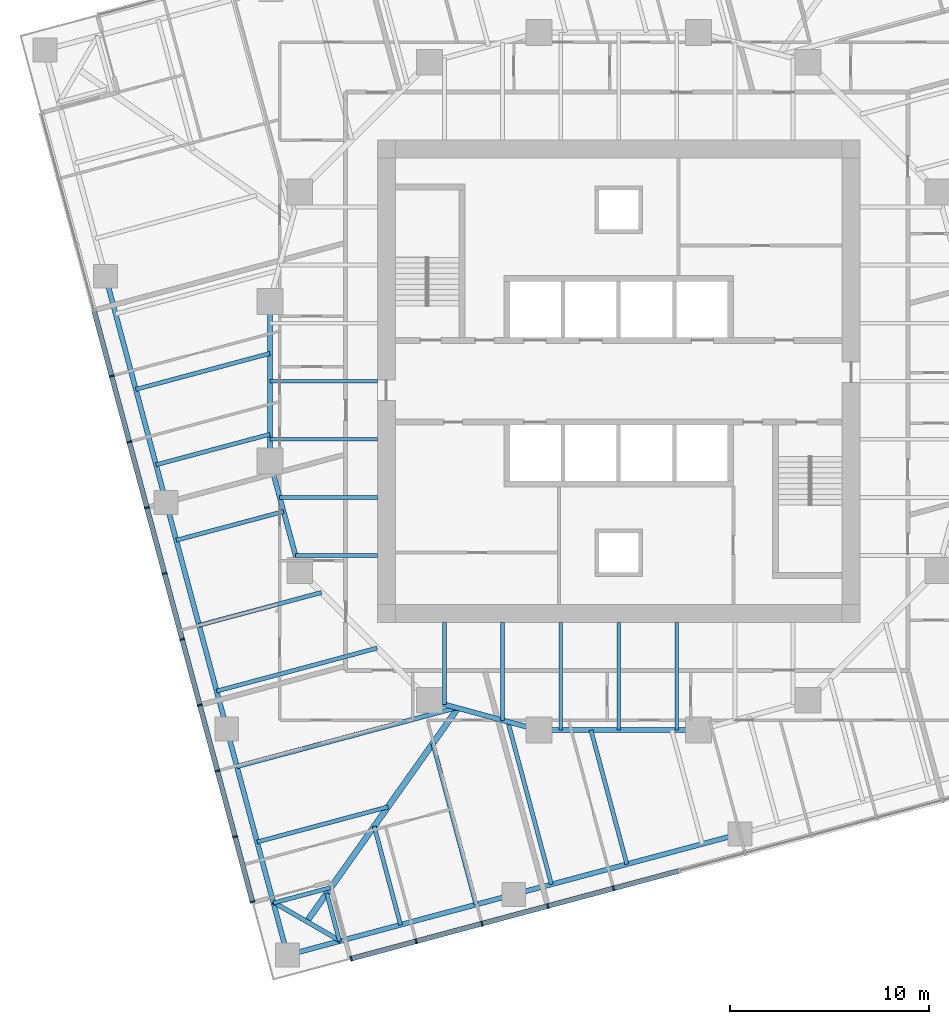
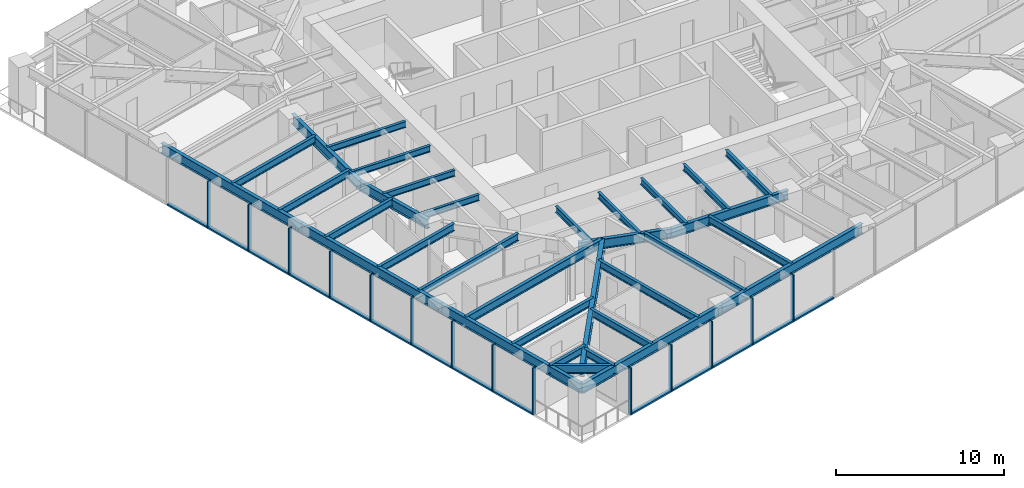
# One storey, part 2 of 13: 33 beams, 28 members, 2 elements without a shape of their own.
"""IFC4 building model written with IfcOpenShell, lengths in metres."""

from ifc_helpers import new_model, si_unit, direction, frame, origin, origin_2d, place, context, subcontext, project, spatial, rectangle, i_section, extrude, material, material_profile, profile_set, type_object, element, aggregate, save


model = new_model("IFC4")

# Units and contexts
model_context = context("Model", 3, precision=1e-05, world=origin(), true_north=direction((0.0, 1.0)))
body_context = subcontext(model_context, "Body", "Model", "MODEL_VIEW")
ifc_project = project(units=[si_unit("LENGTHUNIT", "METRE"), si_unit("AREAUNIT", "SQUARE_METRE"), si_unit("VOLUMEUNIT", "CUBIC_METRE"), si_unit("PLANEANGLEUNIT", "RADIAN"), si_unit("MASSUNIT", "GRAM", prefix="KILO")], contexts=[model_context])

# Site, building, storey
site_placement = place(None, origin())
site = spatial("IfcSite", under=ifc_project, at=site_placement, CompositionType="ELEMENT")
building_placement = place(site_placement, origin())
building = spatial("IfcBuilding", under=site, at=building_placement, Name="Torsade Residences", CompositionType="ELEMENT")
storey_placement = place(building_placement, frame((0.0, 0.0, 115.0)))
storey = spatial("IfcBuildingStorey", under=building, at=storey_placement, Name="L31", CompositionType="ELEMENT", Elevation=115.0)

# Beams
ifc_material_1 = material(Name="Steel grade 300", Category="steel")
ifc_material_profile_1 = material_profile(ifc_material_1, i_section(OverallWidth=0.300048828125, OverallDepth=0.89990234375, WebThickness=0.011962890625, FlangeThickness=0.02490234375, at=origin_2d()), Name="900WB175")
ifc_profile_set_1 = profile_set([ifc_material_profile_1], Name="Steel grade 300")
beam_type_1 = type_object("IfcBeamType", Name="CORNER GIRDER 900WB175", PredefinedType="BEAM", material=ifc_profile_set_1)
beam_1_placement = place(storey_placement, frame((24.355224609375, 2.902587890625, 2.800048828125), z_axis=(0.577683167004, 0.816261084801, 0.0), x_axis=(-0.816261084801, 0.577683167004, 0.0)))
element("IfcBeam", 1, at=beam_1_placement, inside=storey, type_object=beam_type_1, Name="Corner girder 01 L32", PredefinedType="BEAM", context=body_context, shape_type="SweptSolid", body=[
    extrude(i_section(OverallWidth=0.300048828125, OverallDepth=0.89990234375, WebThickness=0.011962890625, FlangeThickness=0.02490234375, at=origin_2d()), origin(), (0.0, 0.0, 1.0), 13.116943359375),
])
ifc_material_2 = material(Name="Steel grade 300", Category="steel")
ifc_material_profile_2 = material_profile(ifc_material_2, i_section(OverallWidth=0.22802734375, OverallDepth=0.60205078125, WebThickness=0.010498046875, FlangeThickness=0.014892578125, FilletRadius=0.013916015625, at=origin_2d()), Name="610UB101")
ifc_profile_set_2 = profile_set([ifc_material_profile_2], Name="Steel grade 300")
beam_type_2 = type_object("IfcBeamType", Name="CORNER TRIMMER 610UB101", PredefinedType="BEAM", material=ifc_profile_set_2)
beam_2_placement = place(storey_placement, frame((26.039306640625, 1.93017578125, 2.948974609375), z_axis=(-0.866028782848, 0.499994147244, 0.0), x_axis=(-0.499994147244, -0.866028782848, 0.0)))
element("IfcBeam", 2, at=beam_2_placement, inside=storey, type_object=beam_type_2, Name="Corner trimmer 01 L32", PredefinedType="BEAM", context=body_context, shape_type="SweptSolid", body=[
    extrude(i_section(OverallWidth=0.22802734375, OverallDepth=0.60205078125, WebThickness=0.010498046875, FlangeThickness=0.014892578125, FilletRadius=0.013916015625, at=origin_2d()), origin(), (0.0, 0.0, 1.0), 3.88916015625),
])
ifc_material_3 = material(Name="Steel grade 300", Category="steel")
ifc_material_profile_3 = material_profile(ifc_material_3, i_section(OverallWidth=0.25, OverallDepth=0.699951171875, WebThickness=0.010009765625, FlangeThickness=0.02001953125, at=origin_2d()), Name="700WB130")
ifc_profile_set_3 = profile_set([ifc_material_profile_3], Name="Steel grade 300")
beam_type_3 = type_object("IfcBeamType", Name="EDGE BEAM 700WB130", PredefinedType="SPANDREL", material=ifc_profile_set_3)
for number, where, z_axis, x_axis, name in (
    (3, (23.383056640625, 1.218505859375, 2.89990234375), (0.965928018634, 0.258810863021, 0.0), (-0.258810863021, 0.965928018634, 0.0), "Edge beam 01 L32"),
    (4, (34.732666015625, 4.259521484375, 2.89990234375), (0.965922824118, 0.258830249097, 0.0), (-0.258830249097, 0.965922824118, 0.0), "Edge beam 02 L32"),
    (5, (14.259521484375, 35.267333984375, 2.89990234375), (0.258830249097, -0.965922824118, 0.0), (0.965922824118, 0.258830249097, 0.0), "Edge beam 14 L32"),
    (6, (17.30078125, 23.917724609375, 2.89990234375), (0.258810863021, -0.965928018634, 0.0), (0.965928018634, 0.258810863021, 0.0), "Edge beam 15 L32"),
    (7, (20.341796875, 12.568115234375, 2.89990234375), (0.258830249097, -0.965922824118, 0.0), (0.965922824118, 0.258830249097, 0.0), "Edge beam 16 L32"),
):
    element("IfcBeam", number, at=place(storey_placement, frame(where, z_axis=z_axis, x_axis=x_axis)), inside=storey, type_object=beam_type_3, Name=name, PredefinedType="SPANDREL", context=body_context, shape_type="SweptSolid", body=[
        extrude(i_section(OverallWidth=0.25, OverallDepth=0.699951171875, WebThickness=0.010009765625, FlangeThickness=0.02001953125, at=origin_2d()), origin(), (0.0, 0.0, 1.0), 11.75),
    ])
ifc_material_4 = material(Name="Steel grade 300", Category="steel")
ifc_material_profile_4 = material_profile(ifc_material_4, i_section(OverallWidth=0.18994140625, OverallDepth=0.4541015625, WebThickness=0.008544921875, FlangeThickness=0.0126953125, FilletRadius=0.011474609375, at=origin_2d()), Name="460UB67.1")
ifc_profile_set_4 = profile_set([ifc_material_profile_4], Name="Steel grade 300")
beam_type_4 = type_object("IfcBeamType", Name="INNER FLOOR BEAM 460UB67.1", PredefinedType="JOIST", material=ifc_profile_set_4)
for number, where, z_axis, x_axis, name in (
    (8, (42.91259765625, 17.89990234375, 3.02294921875), (0.0, -1.0, 0.0), (1.0, 0.0, 0.0), "Inner floor beam IS03 L32"),
    (9, (40.0, 17.89990234375, 3.02294921875), (0.0, -1.0, 0.0), (1.0, 0.0, 0.0), "Inner floor beam IS04 L32"),
    (10, (37.08740234375, 17.89990234375, 3.02294921875), (0.0, -1.0, 0.0), (1.0, 0.0, 0.0), "Inner floor beam IS05 L32"),
):
    element("IfcBeam", number, at=place(storey_placement, frame(where, z_axis=z_axis, x_axis=x_axis)), inside=storey, type_object=beam_type_4, Name=name, PredefinedType="JOIST", context=body_context, shape_type="SweptSolid", body=[
        extrude(i_section(OverallWidth=0.18994140625, OverallDepth=0.4541015625, WebThickness=0.008544921875, FlangeThickness=0.0126953125, FilletRadius=0.011474609375, at=origin_2d()), origin(), (0.0, 0.0, 1.0), 5.39990234375),
    ])
beam_3_placement = place(storey_placement, frame((34.175048828125, 17.89990234375, 3.02294921875), z_axis=(0.0, -1.0, 0.0), x_axis=(1.0, 0.0, 0.0)))
element("IfcBeam", 11, at=beam_3_placement, inside=storey, type_object=beam_type_4, Name="Inner floor beam IS06 L32", PredefinedType="JOIST", context=body_context, shape_type="SweptSolid", body=[
    extrude(i_section(OverallWidth=0.18994140625, OverallDepth=0.4541015625, WebThickness=0.008544921875, FlangeThickness=0.0126953125, FilletRadius=0.011474609375, at=origin_2d()), origin(), (0.0, 0.0, 1.0), 4.902099609375),
])
beam_4_placement = place(storey_placement, frame((31.262451171875, 17.89990234375, 3.02294921875), z_axis=(0.0, -1.0, 0.0), x_axis=(1.0, 0.0, 0.0)))
element("IfcBeam", 12, at=beam_4_placement, inside=storey, type_object=beam_type_4, Name="Inner floor beam IS07 L32", PredefinedType="JOIST", context=body_context, shape_type="SweptSolid", body=[
    extrude(i_section(OverallWidth=0.18994140625, OverallDepth=0.4541015625, WebThickness=0.008544921875, FlangeThickness=0.0126953125, FilletRadius=0.011474609375, at=origin_2d()), origin(), (0.0, 0.0, 1.0), 4.10791015625),
])
for number, where, z_axis, x_axis, name in (
    (13, (27.89990234375, 30.0, 3.02294921875), (-1.0, 0.0, 0.0), (0.0, -1.0, 0.0), "Inner floor beam IW04 L32"),
    (14, (27.89990234375, 27.08740234375, 3.02294921875), (-1.0, 0.0, 0.0), (0.0, -1.0, 0.0), "Inner floor beam IW05 L32"),
):
    element("IfcBeam", number, at=place(storey_placement, frame(where, z_axis=z_axis, x_axis=x_axis)), inside=storey, type_object=beam_type_4, Name=name, PredefinedType="JOIST", context=body_context, shape_type="SweptSolid", body=[
        extrude(i_section(OverallWidth=0.18994140625, OverallDepth=0.4541015625, WebThickness=0.008544921875, FlangeThickness=0.0126953125, FilletRadius=0.011474609375, at=origin_2d()), origin(), (0.0, 0.0, 1.0), 5.39990234375),
    ])
beam_5_placement = place(storey_placement, frame((27.89990234375, 24.175048828125, 3.02294921875), z_axis=(-1.0, 0.0, 0.0), x_axis=(0.0, -1.0, 0.0)))
element("IfcBeam", 15, at=beam_5_placement, inside=storey, type_object=beam_type_4, Name="Inner floor beam IW06 L32", PredefinedType="JOIST", context=body_context, shape_type="SweptSolid", body=[
    extrude(i_section(OverallWidth=0.18994140625, OverallDepth=0.4541015625, WebThickness=0.008544921875, FlangeThickness=0.0126953125, FilletRadius=0.011474609375, at=origin_2d()), origin(), (0.0, 0.0, 1.0), 4.902099609375),
])
beam_6_placement = place(storey_placement, frame((27.89990234375, 21.262451171875, 3.02294921875), z_axis=(-1.0, 0.0, 0.0), x_axis=(0.0, -1.0, 0.0)))
element("IfcBeam", 16, at=beam_6_placement, inside=storey, type_object=beam_type_4, Name="Inner floor beam IW07 L32", PredefinedType="JOIST", context=body_context, shape_type="SweptSolid", body=[
    extrude(i_section(OverallWidth=0.18994140625, OverallDepth=0.4541015625, WebThickness=0.008544921875, FlangeThickness=0.0126953125, FilletRadius=0.011474609375, at=origin_2d()), origin(), (0.0, 0.0, 1.0), 4.10791015625),
])

# Curtain wall, members
ifc_material_5 = material(Name="Aluminium and glass", Category="aluminium")
curtain_wall_type = type_object("IfcCurtainWallType", Name="FRITTED GLASS CURTAIN WALL MID ZONE", PredefinedType="NOTDEFINED", material=ifc_material_5)
curtain_wall_1_placement = place(storey_placement, origin())
curtain_wall_1 = element("IfcCurtainWall", 17, at=curtain_wall_1_placement, inside=storey, type_object=curtain_wall_type, Name="Curtain wall L31 face 1", PredefinedType="NOTDEFINED")
ifc_material_6 = material(Name="Aluminium mullion", Category="aluminium")
ifc_material_profile_5 = material_profile(ifc_material_6, rectangle(XDim=0.25, YDim=0.080078125, at=origin_2d()), Name="MID ZONE CURTAIN WALL MULLION 250x80")
ifc_profile_set_5 = profile_set([ifc_material_profile_5], Name="Aluminium mullion")
member_type_1 = type_object("IfcMemberType", Name="MID ZONE CURTAIN WALL MULLION 250x80", PredefinedType="MULLION", material=ifc_profile_set_5)
member_1_placement = place(storey_placement, frame((26.578125, 1.039306640625, 0.0), z_axis=(0.0, 0.0, 1.0), x_axis=(-0.258819047783, 0.965925825571, 0.0)))
member_1 = element("IfcMember", 18, at=member_1_placement, type_object=member_type_1, Name="Mullion 1", PredefinedType="MULLION", context=body_context, shape_type="SweptSolid", body=[
    extrude(rectangle(XDim=0.25, YDim=0.080078125, at=origin_2d()), origin(), (0.0, 0.0, 1.0), 3.39990234375),
])
member_2_placement = place(storey_placement, frame((29.83984375, 1.913330078125, 0.0), z_axis=(0.0, 0.0, 1.0), x_axis=(-0.258819047783, 0.965925825571, 0.0)))
member_2 = element("IfcMember", 19, at=member_2_placement, type_object=member_type_1, Name="Mullion 2", PredefinedType="MULLION", context=body_context, shape_type="SweptSolid", body=[
    extrude(rectangle(XDim=0.25, YDim=0.080078125, at=origin_2d()), origin(), (0.0, 0.0, 1.0), 3.39990234375),
])
member_3_placement = place(storey_placement, frame((33.14013671875, 2.797607421875, 0.0), z_axis=(0.0, 0.0, 1.0), x_axis=(-0.258819047783, 0.965925825571, 0.0)))
member_3 = element("IfcMember", 20, at=member_3_placement, type_object=member_type_1, Name="Mullion 3", PredefinedType="MULLION", context=body_context, shape_type="SweptSolid", body=[
    extrude(rectangle(XDim=0.25, YDim=0.080078125, at=origin_2d()), origin(), (0.0, 0.0, 1.0), 3.39990234375),
])
member_4_placement = place(storey_placement, frame((36.4404296875, 3.681884765625, 0.0), z_axis=(0.0, 0.0, 1.0), x_axis=(-0.258819047783, 0.965925825571, 0.0)))
member_4 = element("IfcMember", 21, at=member_4_placement, type_object=member_type_1, Name="Mullion 4", PredefinedType="MULLION", context=body_context, shape_type="SweptSolid", body=[
    extrude(rectangle(XDim=0.25, YDim=0.080078125, at=origin_2d()), origin(), (0.0, 0.0, 1.0), 3.39990234375),
])
member_5_placement = place(storey_placement, frame((39.740478515625, 4.566162109375, 0.0), z_axis=(0.0, 0.0, 1.0), x_axis=(-0.258819047783, 0.965925825571, 0.0)))
member_5 = element("IfcMember", 22, at=member_5_placement, type_object=member_type_1, Name="Mullion 5", PredefinedType="MULLION", context=body_context, shape_type="SweptSolid", body=[
    extrude(rectangle(XDim=0.25, YDim=0.080078125, at=origin_2d()), origin(), (0.0, 0.0, 1.0), 3.39990234375),
])

curtain_wall_2_placement = place(storey_placement, origin())
curtain_wall_2 = element("IfcCurtainWall", 23, at=curtain_wall_2_placement, inside=storey, type_object=curtain_wall_type, Name="Curtain wall L31 face 10", PredefinedType="NOTDEFINED")
member_6_placement = place(storey_placement, frame((14.566162109375, 30.259521484375, 0.0), z_axis=(0.0, 0.0, 1.0), x_axis=(0.965925825571, 0.258819047783, 0.0)))
member_6 = element("IfcMember", 24, at=member_6_placement, type_object=member_type_1, Name="Mullion 5", PredefinedType="MULLION", context=body_context, shape_type="SweptSolid", body=[
    extrude(rectangle(XDim=0.25, YDim=0.080078125, at=origin_2d()), origin(), (0.0, 0.0, 1.0), 3.39990234375),
])
member_7_placement = place(storey_placement, frame((15.450439453125, 26.959228515625, 0.0), z_axis=(0.0, 0.0, 1.0), x_axis=(0.965925825571, 0.258819047783, 0.0)))
member_7 = element("IfcMember", 25, at=member_7_placement, type_object=member_type_1, Name="Mullion 6", PredefinedType="MULLION", context=body_context, shape_type="SweptSolid", body=[
    extrude(rectangle(XDim=0.25, YDim=0.080078125, at=origin_2d()), origin(), (0.0, 0.0, 1.0), 3.39990234375),
])
member_8_placement = place(storey_placement, frame((16.334716796875, 23.658935546875, 0.0), z_axis=(0.0, 0.0, 1.0), x_axis=(0.965925825571, 0.258819047783, 0.0)))
member_8 = element("IfcMember", 26, at=member_8_placement, type_object=member_type_1, Name="Mullion 7", PredefinedType="MULLION", context=body_context, shape_type="SweptSolid", body=[
    extrude(rectangle(XDim=0.25, YDim=0.080078125, at=origin_2d()), origin(), (0.0, 0.0, 1.0), 3.39990234375),
])
member_9_placement = place(storey_placement, frame((17.218994140625, 20.358642578125, 0.0), z_axis=(0.0, 0.0, 1.0), x_axis=(0.965925825571, 0.258819047783, 0.0)))
member_9 = element("IfcMember", 27, at=member_9_placement, type_object=member_type_1, Name="Mullion 8", PredefinedType="MULLION", context=body_context, shape_type="SweptSolid", body=[
    extrude(rectangle(XDim=0.25, YDim=0.080078125, at=origin_2d()), origin(), (0.0, 0.0, 1.0), 3.39990234375),
])
member_10_placement = place(storey_placement, frame((18.103515625, 17.058349609375, 0.0), z_axis=(0.0, 0.0, 1.0), x_axis=(0.965925825571, 0.258819047783, 0.0)))
member_10 = element("IfcMember", 28, at=member_10_placement, type_object=member_type_1, Name="Mullion 9", PredefinedType="MULLION", context=body_context, shape_type="SweptSolid", body=[
    extrude(rectangle(XDim=0.25, YDim=0.080078125, at=origin_2d()), origin(), (0.0, 0.0, 1.0), 3.39990234375),
])
member_11_placement = place(storey_placement, frame((18.98779296875, 13.75830078125, 0.0), z_axis=(0.0, 0.0, 1.0), x_axis=(0.965925825571, 0.258819047783, 0.0)))
member_11 = element("IfcMember", 29, at=member_11_placement, type_object=member_type_1, Name="Mullion 10", PredefinedType="MULLION", context=body_context, shape_type="SweptSolid", body=[
    extrude(rectangle(XDim=0.25, YDim=0.080078125, at=origin_2d()), origin(), (0.0, 0.0, 1.0), 3.39990234375),
])
member_12_placement = place(storey_placement, frame((19.8720703125, 10.4580078125, 0.0), z_axis=(0.0, 0.0, 1.0), x_axis=(0.965925825571, 0.258819047783, 0.0)))
member_12 = element("IfcMember", 30, at=member_12_placement, type_object=member_type_1, Name="Mullion 11", PredefinedType="MULLION", context=body_context, shape_type="SweptSolid", body=[
    extrude(rectangle(XDim=0.25, YDim=0.080078125, at=origin_2d()), origin(), (0.0, 0.0, 1.0), 3.39990234375),
])
member_13_placement = place(storey_placement, frame((20.75634765625, 7.15771484375, 0.0), z_axis=(0.0, 0.0, 1.0), x_axis=(0.965925825571, 0.258819047783, 0.0)))
member_13 = element("IfcMember", 31, at=member_13_placement, type_object=member_type_1, Name="Mullion 12", PredefinedType="MULLION", context=body_context, shape_type="SweptSolid", body=[
    extrude(rectangle(XDim=0.25, YDim=0.080078125, at=origin_2d()), origin(), (0.0, 0.0, 1.0), 3.39990234375),
])
member_14_placement = place(storey_placement, frame((21.63037109375, 3.89599609375, 0.0), z_axis=(0.0, 0.0, 1.0), x_axis=(0.965925825571, 0.258819047783, 0.0)))
member_14 = element("IfcMember", 32, at=member_14_placement, type_object=member_type_1, Name="Mullion 13", PredefinedType="MULLION", context=body_context, shape_type="SweptSolid", body=[
    extrude(rectangle(XDim=0.25, YDim=0.080078125, at=origin_2d()), origin(), (0.0, 0.0, 1.0), 3.39990234375),
])

# Member
ifc_material_7 = material(Name="Aluminium transom", Category="aluminium")
ifc_material_profile_6 = material_profile(ifc_material_7, rectangle(XDim=0.25, YDim=0.110107421875, at=origin_2d()), Name="MID ZONE CURTAIN WALL TRANSOM 250x110")
ifc_profile_set_6 = profile_set([ifc_material_profile_6], Name="Aluminium transom")
member_type_2 = type_object("IfcMemberType", Name="MID ZONE CURTAIN WALL TRANSOM 250x110", PredefinedType="USERDEFINED", material=ifc_profile_set_6)
member_15_placement = place(storey_placement, frame((26.616943359375, 1.0498046875, 0.054931640625), z_axis=(0.965923258633, 0.258828627534, 0.0), x_axis=(-0.258828627534, 0.965923258633, 0.0)))
member_15 = element("IfcMember", 33, at=member_15_placement, type_object=member_type_2, Name="Transom 1.1", ObjectType="TRANSOM", PredefinedType="USERDEFINED", context=body_context, shape_type="SweptSolid", body=[
    extrude(rectangle(XDim=0.25, YDim=0.110107421875, at=origin_2d()), origin(), (0.0, 0.0, 1.0), 3.296630859375),
])

member_16_placement = place(storey_placement, frame((29.87841796875, 1.923583984375, 0.054931640625), z_axis=(0.965916044226, 0.258855549498, 0.0), x_axis=(-0.258855549498, 0.965916044226, 0.0)))
member_16 = element("IfcMember", 34, at=member_16_placement, type_object=member_type_2, Name="Transom 2.1", ObjectType="TRANSOM", PredefinedType="USERDEFINED", context=body_context, shape_type="SweptSolid", body=[
    extrude(rectangle(XDim=0.25, YDim=0.110107421875, at=origin_2d()), origin(), (0.0, 0.0, 1.0), 3.3369140625),
])

member_17_placement = place(storey_placement, frame((33.1787109375, 2.807861328125, 0.054931640625), z_axis=(0.96591114124, 0.258873844232, 0.0), x_axis=(-0.258873844232, 0.96591114124, 0.0)))
member_17 = element("IfcMember", 35, at=member_17_placement, type_object=member_type_2, Name="Transom 3.1", ObjectType="TRANSOM", PredefinedType="USERDEFINED", context=body_context, shape_type="SweptSolid", body=[
    extrude(rectangle(XDim=0.25, YDim=0.110107421875, at=origin_2d()), origin(), (0.0, 0.0, 1.0), 3.336669921875),
])

member_18_placement = place(storey_placement, frame((36.47900390625, 3.6923828125, 0.054931640625), z_axis=(0.965929435155, 0.258805576255, 0.0), x_axis=(-0.258805576255, 0.965929435155, 0.0)))
member_18 = element("IfcMember", 36, at=member_18_placement, type_object=member_type_2, Name="Transom 4.1", ObjectType="TRANSOM", PredefinedType="USERDEFINED", context=body_context, shape_type="SweptSolid", body=[
    extrude(rectangle(XDim=0.25, YDim=0.110107421875, at=origin_2d()), origin(), (0.0, 0.0, 1.0), 3.336669921875),
])

member_19_placement = place(storey_placement, frame((39.779296875, 4.57666015625, 0.054931640625), z_axis=(0.965929435155, 0.258805576255, 0.0), x_axis=(-0.258805576255, 0.965929435155, 0.0)))
member_19 = element("IfcMember", 37, at=member_19_placement, type_object=member_type_2, Name="Transom 5.1", ObjectType="TRANSOM", PredefinedType="USERDEFINED", context=body_context, shape_type="SweptSolid", body=[
    extrude(rectangle(XDim=0.25, YDim=0.110107421875, at=origin_2d()), origin(), (0.0, 0.0, 1.0), 3.336669921875),
])

aggregate(curtain_wall_1, [member_1, member_2, member_3, member_4, member_5, member_15, member_16, member_17, member_18, member_19])

member_20_placement = place(storey_placement, frame((13.6923828125, 33.52099609375, 0.054931640625), z_axis=(0.258805576255, -0.965929435155, 0.0), x_axis=(0.965929435155, 0.258805576255, 0.0)))
member_20 = element("IfcMember", 38, at=member_20_placement, type_object=member_type_2, Name="Transom 4.1", ObjectType="TRANSOM", PredefinedType="USERDEFINED", context=body_context, shape_type="SweptSolid", body=[
    extrude(rectangle(XDim=0.25, YDim=0.110107421875, at=origin_2d()), origin(), (0.0, 0.0, 1.0), 3.336669921875),
])

member_21_placement = place(storey_placement, frame((14.57666015625, 30.220703125, 0.054931640625), z_axis=(0.258805576255, -0.965929435155, 0.0), x_axis=(0.965929435155, 0.258805576255, 0.0)))
member_21 = element("IfcMember", 39, at=member_21_placement, type_object=member_type_2, Name="Transom 5.1", ObjectType="TRANSOM", PredefinedType="USERDEFINED", context=body_context, shape_type="SweptSolid", body=[
    extrude(rectangle(XDim=0.25, YDim=0.110107421875, at=origin_2d()), origin(), (0.0, 0.0, 1.0), 3.336669921875),
])

member_22_placement = place(storey_placement, frame((15.4609375, 26.920654296875, 0.054931640625), z_axis=(0.258787285653, -0.965934335648, 0.0), x_axis=(0.965934335648, 0.258787285653, 0.0)))
member_22 = element("IfcMember", 40, at=member_22_placement, type_object=member_type_2, Name="Transom 6.1", ObjectType="TRANSOM", PredefinedType="USERDEFINED", context=body_context, shape_type="SweptSolid", body=[
    extrude(rectangle(XDim=0.25, YDim=0.110107421875, at=origin_2d()), origin(), (0.0, 0.0, 1.0), 3.3369140625),
])

member_23_placement = place(storey_placement, frame((16.34521484375, 23.620361328125, 0.054931640625), z_axis=(0.258787285653, -0.965934335648, 0.0), x_axis=(0.965934335648, 0.258787285653, 0.0)))
member_23 = element("IfcMember", 41, at=member_23_placement, type_object=member_type_2, Name="Transom 7.1", ObjectType="TRANSOM", PredefinedType="USERDEFINED", context=body_context, shape_type="SweptSolid", body=[
    extrude(rectangle(XDim=0.25, YDim=0.110107421875, at=origin_2d()), origin(), (0.0, 0.0, 1.0), 3.3369140625),
])

member_24_placement = place(storey_placement, frame((17.2294921875, 20.320068359375, 0.054931640625), z_axis=(0.258805576255, -0.965929435155, 0.0), x_axis=(0.965929435155, 0.258805576255, 0.0)))
member_24 = element("IfcMember", 42, at=member_24_placement, type_object=member_type_2, Name="Transom 8.1", ObjectType="TRANSOM", PredefinedType="USERDEFINED", context=body_context, shape_type="SweptSolid", body=[
    extrude(rectangle(XDim=0.25, YDim=0.110107421875, at=origin_2d()), origin(), (0.0, 0.0, 1.0), 3.336669921875),
])

member_25_placement = place(storey_placement, frame((18.11376953125, 17.019775390625, 0.054931640625), z_axis=(0.258805576255, -0.965929435155, 0.0), x_axis=(0.965929435155, 0.258805576255, 0.0)))
member_25 = element("IfcMember", 43, at=member_25_placement, type_object=member_type_2, Name="Transom 9.1", ObjectType="TRANSOM", PredefinedType="USERDEFINED", context=body_context, shape_type="SweptSolid", body=[
    extrude(rectangle(XDim=0.25, YDim=0.110107421875, at=origin_2d()), origin(), (0.0, 0.0, 1.0), 3.336669921875),
])

member_26_placement = place(storey_placement, frame((18.998046875, 13.719482421875, 0.054931640625), z_axis=(0.258805576255, -0.965929435155, 0.0), x_axis=(0.965929435155, 0.258805576255, 0.0)))
member_26 = element("IfcMember", 44, at=member_26_placement, type_object=member_type_2, Name="Transom 10.1", ObjectType="TRANSOM", PredefinedType="USERDEFINED", context=body_context, shape_type="SweptSolid", body=[
    extrude(rectangle(XDim=0.25, YDim=0.110107421875, at=origin_2d()), origin(), (0.0, 0.0, 1.0), 3.336669921875),
])

member_27_placement = place(storey_placement, frame((19.88232421875, 10.419189453125, 0.054931640625), z_axis=(0.258805576255, -0.965929435155, 0.0), x_axis=(0.965929435155, 0.258805576255, 0.0)))
member_27 = element("IfcMember", 45, at=member_27_placement, type_object=member_type_2, Name="Transom 11.1", ObjectType="TRANSOM", PredefinedType="USERDEFINED", context=body_context, shape_type="SweptSolid", body=[
    extrude(rectangle(XDim=0.25, YDim=0.110107421875, at=origin_2d()), origin(), (0.0, 0.0, 1.0), 3.336669921875),
])

member_28_placement = place(storey_placement, frame((20.7666015625, 7.119140625, 0.054931640625), z_axis=(0.258828627534, -0.965923258633, 0.0), x_axis=(0.965923258633, 0.258828627534, 0.0)))
member_28 = element("IfcMember", 46, at=member_28_placement, type_object=member_type_2, Name="Transom 12.1", ObjectType="TRANSOM", PredefinedType="USERDEFINED", context=body_context, shape_type="SweptSolid", body=[
    extrude(rectangle(XDim=0.25, YDim=0.110107421875, at=origin_2d()), origin(), (0.0, 0.0, 1.0), 3.296630859375),
])

aggregate(curtain_wall_2, [member_6, member_7, member_8, member_9, member_10, member_11, member_12, member_13, member_14, member_20, member_21, member_22, member_23, member_24, member_25, member_26, member_27, member_28])

# Beams
ifc_material_8 = material(Name="Steel grade 300", Category="steel")
ifc_material_profile_7 = material_profile(ifc_material_8, i_section(OverallWidth=0.25, OverallDepth=0.699951171875, WebThickness=0.010009765625, FlangeThickness=0.02001953125, at=origin_2d()), Name="700WB130")
ifc_profile_set_7 = profile_set([ifc_material_profile_7], Name="Steel grade 300")
beam_type_5 = type_object("IfcBeamType", Name="RING GIRDER 700WB130", PredefinedType="BEAM", material=ifc_profile_set_7)
beam_7_placement = place(storey_placement, frame((22.5, 34.0, 2.89990234375), z_axis=(0.0, -1.0, 0.0), x_axis=(1.0, 0.0, 0.0)))
element("IfcBeam", 47, at=beam_7_placement, inside=storey, type_object=beam_type_5, Name="Ring girder IR09 L32", PredefinedType="BEAM", context=body_context, shape_type="SweptSolid", body=[
    extrude(i_section(OverallWidth=0.25, OverallDepth=0.699951171875, WebThickness=0.010009765625, FlangeThickness=0.02001953125, at=origin_2d()), origin(), (0.0, 0.0, 1.0), 8.0),
])
for number, where, z_axis, x_axis, name in (
    (48, (22.5, 26.0, 2.89990234375), (0.263117405792, -0.964763821238, 0.0), (0.964763821238, 0.263117405792, 0.0), "Ring girder IR10 L32"),
    (49, (30.5, 14.0, 2.89990234375), (0.964763821238, -0.263117405792, 0.0), (0.263117405792, 0.964763821238, 0.0), "Ring girder IR12 L32"),
):
    element("IfcBeam", number, at=place(storey_placement, frame(where, z_axis=z_axis, x_axis=x_axis)), inside=storey, type_object=beam_type_5, Name=name, PredefinedType="BEAM", context=body_context, shape_type="SweptSolid", body=[
        extrude(i_section(OverallWidth=0.25, OverallDepth=0.699951171875, WebThickness=0.010009765625, FlangeThickness=0.02001953125, at=origin_2d()), origin(), (0.0, 0.0, 1.0), 5.700927734375),
    ])
beam_8_placement = place(storey_placement, frame((36.0, 12.5, 2.89990234375), z_axis=(1.0, 0.0, 0.0), x_axis=(0.0, 1.0, 0.0)))
element("IfcBeam", 50, at=beam_8_placement, inside=storey, type_object=beam_type_5, Name="Ring girder IR13 L32", PredefinedType="BEAM", context=body_context, shape_type="SweptSolid", body=[
    extrude(i_section(OverallWidth=0.25, OverallDepth=0.699951171875, WebThickness=0.010009765625, FlangeThickness=0.02001953125, at=origin_2d()), origin(), (0.0, 0.0, 1.0), 8.0),
])
ifc_material_9 = material(Name="Steel grade 300", Category="steel")
ifc_material_profile_8 = material_profile(ifc_material_9, i_section(OverallWidth=0.208984375, OverallDepth=0.528076171875, WebThickness=0.009521484375, FlangeThickness=0.01318359375, FilletRadius=0.013916015625, at=origin_2d()), Name="530UB82.0")
ifc_profile_set_8 = profile_set([ifc_material_profile_8], Name="Steel grade 300")
beam_type_6 = type_object("IfcBeamType", Name="SECONDARY BEAM 530UB82.0", PredefinedType="JOIST", material=ifc_profile_set_8)
beam_9_placement = place(storey_placement, frame((25.9990234375, 1.91943359375, 2.986083984375), z_axis=(-0.258837674225, 0.965920834438, 0.0), x_axis=(-0.965920834438, -0.258837674225, 0.0)))
element("IfcBeam", 51, at=beam_9_placement, inside=storey, type_object=beam_type_6, Name="Floor beam FS01 L32", PredefinedType="JOIST", context=body_context, shape_type="SweptSolid", body=[
    extrude(i_section(OverallWidth=0.208984375, OverallDepth=0.528076171875, WebThickness=0.009521484375, FlangeThickness=0.01318359375, FilletRadius=0.013916015625, at=origin_2d()), origin(), (0.0, 0.0, 1.0), 2.482666015625),
])
beam_10_placement = place(storey_placement, frame((29.057861328125, 2.739013671875, 2.986083984375), z_axis=(-0.258815647274, 0.965926736728, 0.0), x_axis=(-0.965926736728, -0.258815647274, 0.0)))
element("IfcBeam", 52, at=beam_10_placement, inside=storey, type_object=beam_type_6, Name="Floor beam FS02 L32", PredefinedType="JOIST", context=body_context, shape_type="SweptSolid", body=[
    extrude(i_section(OverallWidth=0.208984375, OverallDepth=0.528076171875, WebThickness=0.009521484375, FlangeThickness=0.01318359375, FilletRadius=0.013916015625, at=origin_2d()), origin(), (0.0, 0.0, 1.0), 5.11279296875),
])
beam_11_placement = place(storey_placement, frame((32.841064453125, 3.752685546875, 2.986083984375), z_axis=(-0.258823120582, 0.965924734258, 0.0), x_axis=(-0.965924734258, -0.258823120582, 0.0)))
element("IfcBeam", 53, at=beam_11_placement, inside=storey, type_object=beam_type_6, Name="Floor beam FS03 L32", PredefinedType="JOIST", context=body_context, shape_type="SweptSolid", body=[
    extrude(i_section(OverallWidth=0.208984375, OverallDepth=0.528076171875, WebThickness=0.009521484375, FlangeThickness=0.01318359375, FilletRadius=0.013916015625, at=origin_2d()), origin(), (0.0, 0.0, 1.0), 8.365966796875),
])
beam_12_placement = place(storey_placement, frame((36.624267578125, 4.766357421875, 2.986083984375), z_axis=(-0.258808315464, 0.965928701223, 0.0), x_axis=(-0.965928701223, -0.258808315464, 0.0)))
element("IfcBeam", 54, at=beam_12_placement, inside=storey, type_object=beam_type_6, Name="Floor beam FS04 L32", PredefinedType="JOIST", context=body_context, shape_type="SweptSolid", body=[
    extrude(i_section(OverallWidth=0.208984375, OverallDepth=0.528076171875, WebThickness=0.009521484375, FlangeThickness=0.01318359375, FilletRadius=0.013916015625, at=origin_2d()), origin(), (0.0, 0.0, 1.0), 8.447509765625),
])
for number, where, z_axis, x_axis, name in (
    (55, (40.407470703125, 5.7802734375, 2.986083984375), (-0.258817945835, 0.965926120836, 0.0), (-0.965926120836, -0.258817945835, 0.0), "Floor beam FS05 L32"),
    (56, (15.7802734375, 29.592529296875, 2.986083984375), (0.965926120836, 0.258817945835, 0.0), (-0.258817945835, 0.965926120836, 0.0), "Floor beam FW05 L32"),
):
    element("IfcBeam", number, at=place(storey_placement, frame(where, z_axis=z_axis, x_axis=x_axis)), inside=storey, type_object=beam_type_6, Name=name, PredefinedType="JOIST", context=body_context, shape_type="SweptSolid", body=[
        extrude(i_section(OverallWidth=0.208984375, OverallDepth=0.528076171875, WebThickness=0.009521484375, FlangeThickness=0.01318359375, FilletRadius=0.013916015625, at=origin_2d()), origin(), (0.0, 0.0, 1.0), 6.956787109375),
    ])
beam_13_placement = place(storey_placement, frame((16.7939453125, 25.809326171875, 2.986083984375), z_axis=(0.965920748174, 0.258837996141, 0.0), x_axis=(-0.258837996141, 0.965920748174, 0.0)))
element("IfcBeam", 57, at=beam_13_placement, inside=storey, type_object=beam_type_6, Name="Floor beam FW06 L32", PredefinedType="JOIST", context=body_context, shape_type="SweptSolid", body=[
    extrude(i_section(OverallWidth=0.208984375, OverallDepth=0.528076171875, WebThickness=0.009521484375, FlangeThickness=0.01318359375, FilletRadius=0.013916015625, at=origin_2d()), origin(), (0.0, 0.0, 1.0), 5.907470703125),
])
beam_14_placement = place(storey_placement, frame((17.8076171875, 22.026123046875, 2.986083984375), z_axis=(0.965923020144, 0.258829517553, 0.0), x_axis=(-0.258829517553, 0.965923020144, 0.0)))
element("IfcBeam", 58, at=beam_14_placement, inside=storey, type_object=beam_type_6, Name="Floor beam FW07 L32", PredefinedType="JOIST", context=body_context, shape_type="SweptSolid", body=[
    extrude(i_section(OverallWidth=0.208984375, OverallDepth=0.528076171875, WebThickness=0.009521484375, FlangeThickness=0.01318359375, FilletRadius=0.013916015625, at=origin_2d()), origin(), (0.0, 0.0, 1.0), 5.57275390625),
])
beam_15_placement = place(storey_placement, frame((18.95068359375, 17.760009765625, 2.986083984375), z_axis=(0.965929717932, 0.258804520856, 0.0), x_axis=(-0.258804520856, 0.965929717932, 0.0)))
element("IfcBeam", 59, at=beam_15_placement, inside=storey, type_object=beam_type_6, Name="Floor beam FW08 L32", PredefinedType="JOIST", context=body_context, shape_type="SweptSolid", body=[
    extrude(i_section(OverallWidth=0.208984375, OverallDepth=0.528076171875, WebThickness=0.009521484375, FlangeThickness=0.01318359375, FilletRadius=0.013916015625, at=origin_2d()), origin(), (0.0, 0.0, 1.0), 6.360107421875),
])
beam_16_placement = place(storey_placement, frame((19.8349609375, 14.459716796875, 2.986083984375), z_axis=(0.96592202475, 0.258833232221, 0.0), x_axis=(-0.258833232221, 0.96592202475, 0.0)))
element("IfcBeam", 60, at=beam_16_placement, inside=storey, type_object=beam_type_6, Name="Floor beam FW09 L32", PredefinedType="JOIST", context=body_context, shape_type="SweptSolid", body=[
    extrude(i_section(OverallWidth=0.208984375, OverallDepth=0.528076171875, WebThickness=0.009521484375, FlangeThickness=0.01318359375, FilletRadius=0.013916015625, at=origin_2d()), origin(), (0.0, 0.0, 1.0), 8.33251953125),
])
beam_17_placement = place(storey_placement, frame((21.862548828125, 6.893310546875, 2.986083984375), z_axis=(0.965927035229, 0.258814533235, 0.0), x_axis=(-0.258814533235, 0.965927035229, 0.0)))
element("IfcBeam", 61, at=beam_17_placement, inside=storey, type_object=beam_type_6, Name="Floor beam FW11 L32", PredefinedType="JOIST", context=body_context, shape_type="SweptSolid", body=[
    extrude(i_section(OverallWidth=0.208984375, OverallDepth=0.528076171875, WebThickness=0.009521484375, FlangeThickness=0.01318359375, FilletRadius=0.013916015625, at=origin_2d()), origin(), (0.0, 0.0, 1.0), 6.792724609375),
])
beam_18_placement = place(storey_placement, frame((22.68212890625, 3.83447265625, 2.986083984375), z_axis=(0.965913310475, 0.258865750242, 0.0), x_axis=(-0.258865750242, 0.965913310475, 0.0)))
element("IfcBeam", 62, at=beam_18_placement, inside=storey, type_object=beam_type_6, Name="Floor beam FW12 L32", PredefinedType="JOIST", context=body_context, shape_type="SweptSolid", body=[
    extrude(i_section(OverallWidth=0.208984375, OverallDepth=0.528076171875, WebThickness=0.009521484375, FlangeThickness=0.01318359375, FilletRadius=0.013916015625, at=origin_2d()), origin(), (0.0, 0.0, 1.0), 2.980224609375),
])
ifc_material_10 = material(Name="Steel grade 300", Category="steel")
ifc_material_profile_9 = material_profile(ifc_material_10, i_section(OverallWidth=0.22900390625, OverallDepth=0.612060546875, WebThickness=0.011962890625, FlangeThickness=0.01953125, FilletRadius=0.013916015625, at=origin_2d()), Name="610UB125")
ifc_profile_set_9 = profile_set([ifc_material_profile_9], Name="Steel grade 300")
beam_type_7 = type_object("IfcBeamType", Name="SECONDARY BEAM 610UB125", PredefinedType="JOIST", material=ifc_profile_set_9)
beam_19_placement = place(storey_placement, frame((20.8486328125, 10.676513671875, 2.944091796875), z_axis=(0.965929035417, 0.258807068179, 0.0), x_axis=(-0.258807068179, 0.965929035417, 0.0)))
element("IfcBeam", 63, at=beam_19_placement, inside=storey, type_object=beam_type_7, Name="Floor beam FW10 L32", PredefinedType="JOIST", context=body_context, shape_type="SweptSolid", body=[
    extrude(i_section(OverallWidth=0.22900390625, OverallDepth=0.612060546875, WebThickness=0.011962890625, FlangeThickness=0.01953125, FilletRadius=0.013916015625, at=origin_2d()), origin(), (0.0, 0.0, 1.0), 11.40380859375),
])

save(model, "model.ifc")
